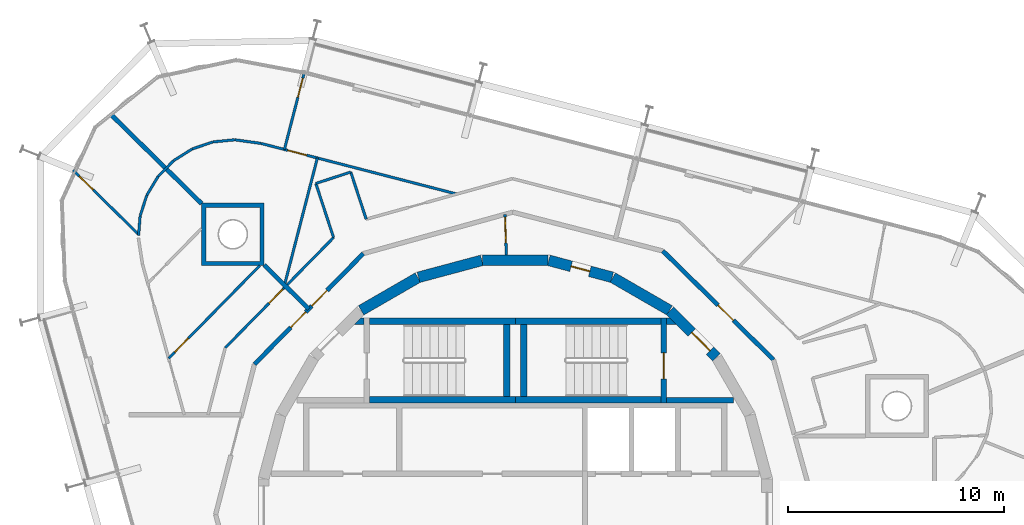
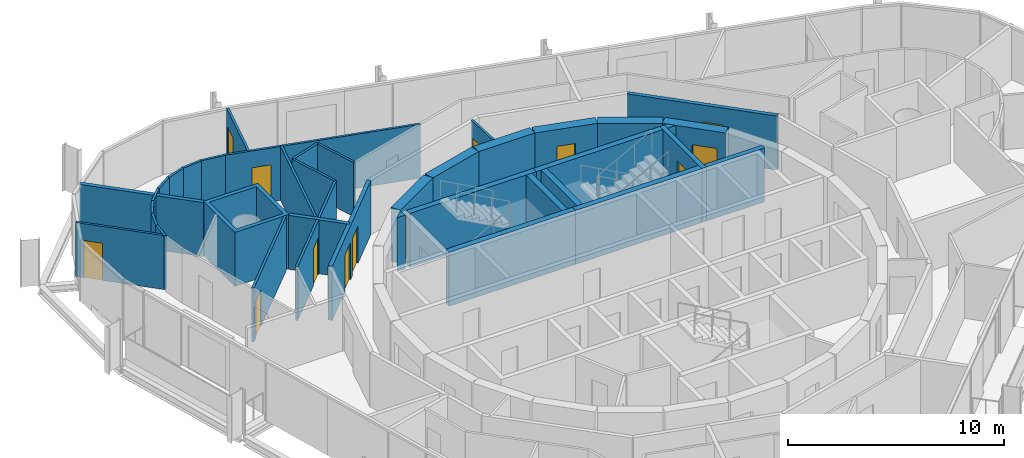
# One storey, part 13 of 15: 39 walls, 12 doors, 12 openings.
"""IFC4 building model written with IfcOpenShell, lengths in metres."""

from ifc_helpers import new_model, si_unit, direction, frame, frame_2d, origin, place, context, subcontext, project, spatial, polyline, rectangle, outline, extrude, material, layer, layer_set, type_object, element, fill, save


model = new_model("IFC4")

# Units and contexts
model_context = context("Model", 3, precision=1e-05, world=origin(), true_north=direction((0.0, 1.0)))
body_context = subcontext(model_context, "Body", "Model", "MODEL_VIEW")
ifc_project = project(units=[si_unit("LENGTHUNIT", "METRE"), si_unit("AREAUNIT", "SQUARE_METRE"), si_unit("VOLUMEUNIT", "CUBIC_METRE"), si_unit("PLANEANGLEUNIT", "RADIAN"), si_unit("MASSUNIT", "GRAM", prefix="KILO")], contexts=[model_context])

# Site, building, storey
site_placement = place(None, origin())
site = spatial("IfcSite", under=ifc_project, at=site_placement, CompositionType="ELEMENT")
building_placement = place(site_placement, origin())
building = spatial("IfcBuilding", under=site, at=building_placement, Name="Spindle Arch Residences", CompositionType="ELEMENT")
storey_placement = place(building_placement, frame((0.0, 0.0, 322.699951171875)))
storey = spatial("IfcBuildingStorey", under=building, at=storey_placement, Name="L83", CompositionType="ELEMENT", Elevation=322.699951171875)

# Wall, opening, door
ifc_material_1 = material(Name="Concrete C50/60", Category="concrete")
ifc_layer_1 = layer(ifc_material_1, 0.5)
ifc_layer_set_1 = layer_set([ifc_layer_1], Name="Core outline wall 500")
wall_type_1 = type_object("IfcWallType", Name="Core outline wall 500", PredefinedType="SHEAR", material=ifc_layer_set_1)
wall_1_placement = place(storey_placement, frame((9.30810546875, 7.163818359375, 0.0), z_axis=(0.0, 0.0, 1.0), x_axis=(-0.707106781187, 0.707106781187, 0.0)))
wall_1 = element("IfcWall", 1, at=wall_1_placement, inside=storey, type_object=wall_type_1, Name="Core outline wall 9", PredefinedType="SHEAR", context=body_context, shape_type="SweptSolid", body=[
    extrude(rectangle(XDim=3.032470703125, YDim=0.5, at=frame_2d((1.51611328125, 0.0))), origin(), (0.0, 0.0, 1.0), 3.050048828125),
])
opening_1_placement = place(wall_1_placement, frame((0.416259765625, 0.0, 0.0)))
opening_1 = element("IfcOpeningElement", 2, at=opening_1_placement, cuts=wall_1, Name="Opening R8C1-AD01", PredefinedType="OPENING", context=body_context, shape_type="SweptSolid", body=[
    extrude(rectangle(XDim=1.199951171875, YDim=2.10009765625, at=frame_2d((0.60009765625, 1.050048828125))), frame((0.0, 0.260009765625, 0.0), z_axis=(0.0, -1.0, 0.0), x_axis=(1.0, 0.0, 0.0)), (0.0, 0.0, 1.0), 0.52001953125),
])
ifc_material_2 = material(Name="Steel, fire-resisting door", Category="steel")
door_type_1 = type_object("IfcDoorType", Name="Stair airlock door 1200x2100", OperationType="SINGLE_SWING_LEFT", PredefinedType="DOOR", material=ifc_material_2)
door_1_placement = place(opening_1_placement, origin())
door_1 = element("IfcDoor", 3, at=door_1_placement, inside=storey, type_object=door_type_1, Name="Stair airlock door R8C1-AD01", OperationType="SINGLE_SWING_RIGHT", OverallHeight=2.10009765625, OverallWidth=1.199951171875, PredefinedType="DOOR", context=body_context, shape_type="SweptSolid", body=[
    extrude(rectangle(XDim=1.199951171875, YDim=2.10009765625, at=frame_2d((0.60009765625, 1.050048828125))), frame((0.0, 0.02490234375, 0.0), z_axis=(0.0, -1.0, 0.0), x_axis=(1.0, 0.0, 0.0)), (0.0, 0.0, 1.0), 0.050048828125),
])
fill(opening_1, door_1)

# Wall
wall_2_placement = place(storey_placement, frame((7.13671875, 9.32861328125, 0.0), z_axis=(0.0, 0.0, 1.0), x_axis=(-0.865975092491, 0.500087131594, 0.0)))
element("IfcWall", 4, at=wall_2_placement, inside=storey, type_object=wall_type_1, Name="Core outline wall 10", PredefinedType="SHEAR", context=body_context, shape_type="SweptSolid", body=[
    extrude(rectangle(XDim=3.03271484375, YDim=0.5, at=frame_2d((1.516357421875, 0.0))), origin(), (0.0, 0.0, 1.0), 3.050048828125),
])

# Wall, opening, door
wall_3_placement = place(storey_placement, frame((4.479248046875, 10.858154296875, 0.0), z_axis=(0.0, 0.0, 1.0), x_axis=(-0.965948410781, 0.258734743916, 0.0)))
wall_3 = element("IfcWall", 5, at=wall_3_placement, inside=storey, type_object=wall_type_1, Name="Core outline wall 11", PredefinedType="SHEAR", context=body_context, shape_type="SweptSolid", body=[
    extrude(rectangle(XDim=3.03271484375, YDim=0.5, at=frame_2d((1.516357421875, 0.0))), origin(), (0.0, 0.0, 1.0), 3.050048828125),
])
opening_2_placement = place(wall_3_placement, frame((1.066162109375, 0.0, 0.0)))
opening_2 = element("IfcOpeningElement", 6, at=opening_2_placement, cuts=wall_3, Name="Opening R8C1-WD11", PredefinedType="OPENING", context=body_context, shape_type="SweptSolid", body=[
    extrude(rectangle(XDim=0.89990234375, YDim=2.10009765625, at=frame_2d((0.449951171875, 1.050048828125))), frame((0.0, 0.260009765625, 0.0), z_axis=(0.0, -1.0, 0.0), x_axis=(1.0, 0.0, 0.0)), (0.0, 0.0, 1.0), 0.52001953125),
])
ifc_material_3 = material(Name="Steel, fire-resisting door", Category="steel")
door_type_2 = type_object("IfcDoorType", Name="Service room door 900x2100", OperationType="SINGLE_SWING_LEFT", PredefinedType="DOOR", material=ifc_material_3)
door_2_placement = place(opening_2_placement, origin())
door_2 = element("IfcDoor", 7, at=door_2_placement, inside=storey, type_object=door_type_2, Name="Service room door R8C1-WD11", OperationType="SINGLE_SWING_LEFT", OverallHeight=2.10009765625, OverallWidth=0.89990234375, PredefinedType="DOOR", context=body_context, shape_type="SweptSolid", body=[
    extrude(rectangle(XDim=0.89990234375, YDim=2.10009765625, at=frame_2d((0.449951171875, 1.050048828125))), frame((0.0, 0.02490234375, 0.0), z_axis=(0.0, -1.0, 0.0), x_axis=(1.0, 0.0, 0.0)), (0.0, 0.0, 1.0), 0.050048828125),
])
fill(opening_2, door_2)

# Walls
for number, where, z_axis, x_axis, name in (
    (8, (1.516357421875, 11.647216796875, 0.0), (0.0, 0.0, 1.0), (-1.0, 0.0, 0.0), "Core outline wall 12"),
    (9, (-1.5498046875, 11.642822265625, 0.0), (0.0, 0.0, 1.0), (-0.965948410781, -0.258734743916, 0.0), "Core outline wall 13"),
    (10, (-4.510498046875, 10.84521484375, 0.0), (0.0, 0.0, 1.0), (-0.865975092491, -0.500087131594, 0.0), "Core outline wall 14"),
):
    element("IfcWall", number, at=place(storey_placement, frame(where, z_axis=z_axis, x_axis=x_axis)), inside=storey, type_object=wall_type_1, Name=name, PredefinedType="SHEAR", context=body_context, shape_type="SweptSolid", body=[
        extrude(rectangle(XDim=3.03271484375, YDim=0.5, at=frame_2d((1.516357421875, 0.0))), origin(), (0.0, 0.0, 1.0), 3.050048828125),
    ])

# Wall, opening, door
ifc_material_4 = material(Name="Plasterboard on steel studs", Category="steel")
ifc_layer_2 = layer(ifc_material_4, 0.1201171875)
ifc_layer_set_2 = layer_set([ifc_layer_2], Name="Corridor division wall 120")
wall_type_2 = type_object("IfcWallType", Name="Corridor division wall 120", PredefinedType="PARTITIONING", material=ifc_layer_set_2)
wall_4_placement = place(storey_placement, frame((-0.48095703125, 13.7724609375, 0.0), z_axis=(0.0, 0.0, 1.0), x_axis=(0.034870071203, -0.999391854146, 0.0)))
wall_4 = element("IfcWall", 11, at=wall_4_placement, inside=storey, type_object=wall_type_2, Name="Corridor division wall R8C1-W001", PredefinedType="PARTITIONING", context=body_context, shape_type="SweptSolid", body=[
    extrude(rectangle(XDim=1.87646484375, YDim=0.1201171875, at=frame_2d((0.938232421875, 0.0))), origin(), (0.0, 0.0, 1.0), 3.050048828125),
])
opening_3_placement = place(wall_4_placement, frame((0.125, 0.0, 0.0)))
opening_3 = element("IfcOpeningElement", 12, at=opening_3_placement, cuts=wall_4, Name="Opening R8C1-CD01", PredefinedType="OPENING", context=body_context, shape_type="SweptSolid", body=[
    extrude(rectangle(XDim=1.199951171875, YDim=2.10009765625, at=frame_2d((0.60009765625, 1.050048828125))), frame((0.0, 0.070068359375, 0.0), z_axis=(0.0, -1.0, 0.0), x_axis=(1.0, 0.0, 0.0)), (0.0, 0.0, 1.0), 0.14013671875),
])
ifc_material_5 = material(Name="Steel, fire-resisting door", Category="steel")
door_type_3 = type_object("IfcDoorType", Name="Corridor division door 1200x2100", OperationType="NOTDEFINED", PredefinedType="DOOR", material=ifc_material_5)
door_3_placement = place(opening_3_placement, origin())
door_3 = element("IfcDoor", 13, at=door_3_placement, inside=storey, type_object=door_type_3, Name="Corridor division door R8C1-CD01", OperationType="DOUBLE_DOOR_SINGLE_SWING", OverallHeight=2.10009765625, OverallWidth=1.199951171875, PredefinedType="DOOR", context=body_context, shape_type="SweptSolid", body=[
    extrude(rectangle(XDim=1.199951171875, YDim=2.10009765625, at=frame_2d((0.60009765625, 1.050048828125))), frame((0.0, 0.02490234375, 0.0), z_axis=(0.0, -1.0, 0.0), x_axis=(1.0, 0.0, 0.0)), (0.0, 0.0, 1.0), 0.050048828125),
])
fill(opening_3, door_3)

ifc_material_6 = material(Name="Calcium silicate block, plastered")
ifc_layer_3 = layer(ifc_material_6, 0.199951171875)
ifc_layer_set_3 = layer_set([ifc_layer_3], Name="Corridor wall 200")
wall_type_3 = type_object("IfcWallType", Name="Corridor wall 200", PredefinedType="STANDARD", material=ifc_layer_set_3)
wall_5_placement = place(storey_placement, frame((11.953125, 7.041015625, 0.0), z_axis=(0.0, 0.0, 1.0), x_axis=(-0.713250549143, 0.70090916255, 0.0)))
wall_5 = element("IfcWall", 14, at=wall_5_placement, inside=storey, type_object=wall_type_3, Name="Corridor wall R8C1-W007", PredefinedType="STANDARD", context=body_context, shape_type="SweptSolid", body=[
    extrude(rectangle(XDim=7.180908203125, YDim=0.199951171875, at=frame_2d((3.59033203125, 0.0))), origin(), (0.0, 0.0, 1.0), 3.050048828125),
])
opening_4_placement = place(wall_5_placement, frame((2.60009765625, 0.0, 0.0)))
opening_4 = element("IfcOpeningElement", 15, at=opening_4_placement, cuts=wall_5, Name="Opening R8C1-FD01", PredefinedType="OPENING", context=body_context, shape_type="SweptSolid", body=[
    extrude(rectangle(XDim=1.0, YDim=2.10009765625, at=frame_2d((0.5, 1.050048828125))), frame((0.0, 0.10986328125, 0.0), z_axis=(0.0, -1.0, 0.0), x_axis=(1.0, 0.0, 0.0)), (0.0, 0.0, 1.0), 0.219970703125),
])
ifc_material_7 = material(Name="Timber, fire-resisting door set", Category="wood")
door_type_4 = type_object("IfcDoorType", Name="Flat entrance door 1000x2100", OperationType="NOTDEFINED", PredefinedType="DOOR", material=ifc_material_7)
door_4_placement = place(opening_4_placement, origin())
door_4 = element("IfcDoor", 16, at=door_4_placement, inside=storey, type_object=door_type_4, Name="Flat entrance door R8C1-FD01", OperationType="SINGLE_SWING_LEFT", OverallHeight=2.10009765625, OverallWidth=1.0, PredefinedType="DOOR", context=body_context, shape_type="SweptSolid", body=[
    extrude(rectangle(XDim=1.0, YDim=2.10009765625, at=frame_2d((0.5, 1.050048828125))), frame((0.0, 0.02490234375, 0.0), z_axis=(0.0, -1.0, 0.0), x_axis=(1.0, 0.0, 0.0)), (0.0, 0.0, 1.0), 0.050048828125),
])
fill(opening_4, door_4)

# Wall, openings, doors
wall_6_placement = place(storey_placement, frame((-7.041015625, 11.953125, 0.0), z_axis=(0.0, 0.0, 1.0), x_axis=(-0.70090916255, -0.713250549143, 0.0)))
wall_6 = element("IfcWall", 17, at=wall_6_placement, inside=storey, type_object=wall_type_3, Name="Corridor wall R8C1-W012", PredefinedType="STANDARD", context=body_context, shape_type="SweptSolid", body=[
    extrude(rectangle(XDim=7.180908203125, YDim=0.199951171875, at=frame_2d((3.59033203125, 0.0))), origin(), (0.0, 0.0, 1.0), 3.050048828125),
])
opening_5_placement = place(wall_6_placement, frame((2.390380859375, 0.0, 0.0)))
opening_5 = element("IfcOpeningElement", 18, at=opening_5_placement, cuts=wall_6, Name="Opening R8C1-FD02", PredefinedType="OPENING", context=body_context, shape_type="SweptSolid", body=[
    extrude(rectangle(XDim=1.0, YDim=2.10009765625, at=frame_2d((0.5, 1.050048828125))), frame((0.0, 0.10986328125, 0.0), z_axis=(0.0, -1.0, 0.0), x_axis=(1.0, 0.0, 0.0)), (0.0, 0.0, 1.0), 0.219970703125),
])
opening_6_placement = place(wall_6_placement, frame((3.79052734375, 0.0, 0.0)))
opening_6 = element("IfcOpeningElement", 19, at=opening_6_placement, cuts=wall_6, Name="Opening R8C1-FD03", PredefinedType="OPENING", context=body_context, shape_type="SweptSolid", body=[
    extrude(rectangle(XDim=1.0, YDim=2.10009765625, at=frame_2d((0.5, 1.050048828125))), frame((0.0, 0.10986328125, 0.0), z_axis=(0.0, -1.0, 0.0), x_axis=(1.0, 0.0, 0.0)), (0.0, 0.0, 1.0), 0.219970703125),
])
door_5_placement = place(opening_5_placement, origin())
door_5 = element("IfcDoor", 20, at=door_5_placement, inside=storey, type_object=door_type_4, Name="Flat entrance door R8C1-FD02", OperationType="SINGLE_SWING_RIGHT", OverallHeight=2.10009765625, OverallWidth=1.0, PredefinedType="DOOR", context=body_context, shape_type="SweptSolid", body=[
    extrude(rectangle(XDim=1.0, YDim=2.10009765625, at=frame_2d((0.5, 1.050048828125))), frame((0.0, 0.02490234375, 0.0), z_axis=(0.0, -1.0, 0.0), x_axis=(1.0, 0.0, 0.0)), (0.0, 0.0, 1.0), 0.050048828125),
])
fill(opening_5, door_5)
door_6_placement = place(opening_6_placement, origin())
door_6 = element("IfcDoor", 21, at=door_6_placement, inside=storey, type_object=door_type_4, Name="Flat entrance door R8C1-FD03", OperationType="SINGLE_SWING_LEFT", OverallHeight=2.10009765625, OverallWidth=1.0, PredefinedType="DOOR", context=body_context, shape_type="SweptSolid", body=[
    extrude(rectangle(XDim=1.0, YDim=2.10009765625, at=frame_2d((0.5, 1.050048828125))), frame((0.0, 0.02490234375, 0.0), z_axis=(0.0, -1.0, 0.0), x_axis=(1.0, 0.0, 0.0)), (0.0, 0.0, 1.0), 0.050048828125),
])
fill(opening_6, door_6)

# Walls
ifc_material_8 = material(Name="Plasterboard on steel studs", Category="steel")
ifc_layer_4 = layer(ifc_material_8, 0.1201171875)
ifc_layer_set_4 = layer_set([ifc_layer_4], Name="Flat partition 120")
wall_type_4 = type_object("IfcWallType", Name="Flat partition 120", PredefinedType="PARTITIONING", material=ifc_layer_set_4)
wall_7_placement = place(storey_placement, frame((-6.902099609375, 13.548095703125, 0.0), z_axis=(0.0, 0.0, 1.0), x_axis=(-0.311311440769, 0.950307943167, 0.0)))
element("IfcWall", 22, at=wall_7_placement, inside=storey, type_object=wall_type_4, Name="Flat partition R8C1-W046", PredefinedType="PARTITIONING", context=body_context, shape_type="SweptSolid", body=[
    extrude(rectangle(XDim=2.296142578125, YDim=0.1201171875, at=frame_2d((1.14794921875, 0.0))), origin(), (0.0, 0.0, 1.0), 3.050048828125),
])
wall_8_placement = place(storey_placement, frame((-7.616943359375, 15.730224609375, 0.0), z_axis=(0.0, 0.0, 1.0), x_axis=(-0.950307562936, -0.311312601457, 0.0)))
element("IfcWall", 23, at=wall_8_placement, inside=storey, type_object=wall_type_4, Name="Flat partition R8C1-W047", PredefinedType="PARTITIONING", context=body_context, shape_type="SweptSolid", body=[
    extrude(rectangle(XDim=1.7001953125, YDim=0.1201171875, at=frame_2d((0.85009765625, 0.0))), origin(), (0.0, 0.0, 1.0), 3.050048828125),
])
wall_9_placement = place(storey_placement, frame((-9.232666015625, 15.200927734375, 0.0), z_axis=(0.0, 0.0, 1.0), x_axis=(0.311302357688, -0.950310918646, 0.0)))
element("IfcWall", 24, at=wall_9_placement, inside=storey, type_object=wall_type_4, Name="Flat partition R8C1-W048", PredefinedType="PARTITIONING", context=body_context, shape_type="SweptSolid", body=[
    extrude(rectangle(XDim=2.63427734375, YDim=0.1201171875, at=frame_2d((1.317138671875, 0.0))), origin(), (0.0, 0.0, 1.0), 3.050048828125),
])

# Wall, opening, door
wall_10_placement = place(storey_placement, frame((-8.41259765625, 12.697509765625, 0.0), z_axis=(0.0, 0.0, 1.0), x_axis=(-0.700901588882, -0.713257991686, 0.0)))
wall_10 = element("IfcWall", 25, at=wall_10_placement, inside=storey, type_object=wall_type_4, Name="Flat partition R8C1-W049", PredefinedType="PARTITIONING", context=body_context, shape_type="SweptSolid", body=[
    extrude(rectangle(XDim=7.152587890625, YDim=0.1201171875, at=frame_2d((3.576171875, 0.0))), origin(), (0.0, 0.0, 1.0), 3.050048828125),
])
opening_7_placement = place(wall_10_placement, frame((3.360107421875, 0.0, 0.0)))
opening_7 = element("IfcOpeningElement", 26, at=opening_7_placement, cuts=wall_10, Name="Opening R8C1-ID08", PredefinedType="OPENING", context=body_context, shape_type="SweptSolid", body=[
    extrude(rectangle(XDim=0.89990234375, YDim=2.10009765625, at=frame_2d((0.449951171875, 1.050048828125))), frame((0.0, 0.070068359375, 0.0), z_axis=(0.0, -1.0, 0.0), x_axis=(1.0, 0.0, 0.0)), (0.0, 0.0, 1.0), 0.14013671875),
])
ifc_material_9 = material(Name="Timber door set", Category="wood")
door_type_5 = type_object("IfcDoorType", Name="Room door 900x2100", OperationType="NOTDEFINED", PredefinedType="DOOR", material=ifc_material_9)
door_7_placement = place(opening_7_placement, origin())
door_7 = element("IfcDoor", 27, at=door_7_placement, inside=storey, type_object=door_type_5, Name="Room door R8C1-ID08", OperationType="SINGLE_SWING_LEFT", OverallHeight=2.10009765625, OverallWidth=0.89990234375, PredefinedType="DOOR", context=body_context, shape_type="SweptSolid", body=[
    extrude(rectangle(XDim=0.89990234375, YDim=2.10009765625, at=frame_2d((0.449951171875, 1.050048828125))), frame((0.0, 0.02490234375, 0.0), z_axis=(0.0, -1.0, 0.0), x_axis=(1.0, 0.0, 0.0)), (0.0, 0.0, 1.0), 0.050048828125),
])
fill(opening_7, door_7)

wall_11_placement = place(storey_placement, frame((-11.768798828125, 17.054443359375, 0.0), z_axis=(0.0, 0.0, 1.0), x_axis=(0.968146475492, -0.250384508293, 0.0)))
wall_11 = element("IfcWall", 28, at=wall_11_placement, inside=storey, type_object=wall_type_4, Name="Flat partition R8C1-W050", PredefinedType="PARTITIONING", context=body_context, shape_type="SweptSolid", body=[
    extrude(rectangle(XDim=9.358642578125, YDim=0.1201171875, at=frame_2d((4.67919921875, 0.0))), origin(), (0.0, 0.0, 1.0), 3.050048828125),
])
opening_8_placement = place(wall_11_placement, frame((1.2763671875, 0.0, 0.0)))
opening_8 = element("IfcOpeningElement", 29, at=opening_8_placement, cuts=wall_11, Name="Opening R8C1-ID07", PredefinedType="OPENING", context=body_context, shape_type="SweptSolid", body=[
    extrude(rectangle(XDim=0.89990234375, YDim=2.10009765625, at=frame_2d((0.449951171875, 1.050048828125))), frame((0.0, 0.070068359375, 0.0), z_axis=(0.0, -1.0, 0.0), x_axis=(1.0, 0.0, 0.0)), (0.0, 0.0, 1.0), 0.14013671875),
])
door_8_placement = place(opening_8_placement, origin())
door_8 = element("IfcDoor", 30, at=door_8_placement, inside=storey, type_object=door_type_5, Name="Room door R8C1-ID07", OperationType="SINGLE_SWING_LEFT", OverallHeight=2.10009765625, OverallWidth=0.89990234375, PredefinedType="DOOR", context=body_context, shape_type="SweptSolid", body=[
    extrude(rectangle(XDim=0.89990234375, YDim=2.10009765625, at=frame_2d((0.449951171875, 1.050048828125))), frame((0.0, 0.02490234375, 0.0), z_axis=(0.0, -1.0, 0.0), x_axis=(1.0, 0.0, 0.0)), (0.0, 0.0, 1.0), 0.050048828125),
])
fill(opening_8, door_8)

wall_12_placement = place(storey_placement, frame((-9.78662109375, 20.26025390625, 0.0), z_axis=(0.0, 0.0, 1.0), x_axis=(-0.250378438176, -0.968148045341, 0.0)))
wall_12 = element("IfcWall", 31, at=wall_12_placement, inside=storey, type_object=wall_type_4, Name="Flat partition R8C1-W051", PredefinedType="PARTITIONING", context=body_context, shape_type="SweptSolid", body=[
    extrude(rectangle(XDim=3.60009765625, YDim=0.1201171875, at=frame_2d((1.800048828125, 0.0))), origin(), (0.0, 0.0, 1.0), 3.050048828125),
])
opening_9_placement = place(wall_12_placement, frame((0.199951171875, 0.0, 0.0)))
opening_9 = element("IfcOpeningElement", 32, at=opening_9_placement, cuts=wall_12, Name="Opening R8C1-ID06", PredefinedType="OPENING", context=body_context, shape_type="SweptSolid", body=[
    extrude(rectangle(XDim=0.89990234375, YDim=2.10009765625, at=frame_2d((0.449951171875, 1.050048828125))), frame((0.0, 0.070068359375, 0.0), z_axis=(0.0, -1.0, 0.0), x_axis=(1.0, 0.0, 0.0)), (0.0, 0.0, 1.0), 0.14013671875),
])
door_9_placement = place(opening_9_placement, origin())
door_9 = element("IfcDoor", 33, at=door_9_placement, inside=storey, type_object=door_type_5, Name="Room door R8C1-ID06", OperationType="SINGLE_SWING_RIGHT", OverallHeight=2.10009765625, OverallWidth=0.89990234375, PredefinedType="DOOR", context=body_context, shape_type="SweptSolid", body=[
    extrude(rectangle(XDim=0.89990234375, YDim=2.10009765625, at=frame_2d((0.449951171875, 1.050048828125))), frame((0.0, 0.02490234375, 0.0), z_axis=(0.0, -1.0, 0.0), x_axis=(1.0, 0.0, 0.0)), (0.0, 0.0, 1.0), 0.050048828125),
])
fill(opening_9, door_9)

# Walls
wall_13_placement = place(storey_placement, frame((-9.161865234375, 16.38037109375, 0.0), z_axis=(0.0, 0.0, 1.0), x_axis=(-0.250384770134, -0.968146407774, 0.0)))
element("IfcWall", 34, at=wall_13_placement, inside=storey, type_object=wall_type_4, Name="Flat partition R8C1-W052", PredefinedType="PARTITIONING", context=body_context, shape_type="SweptSolid", body=[
    extrude(rectangle(XDim=6.07568359375, YDim=0.1201171875, at=frame_2d((3.037841796875, 0.0))), origin(), (0.0, 0.0, 1.0), 3.050048828125),
])
for number, where, z_axis, x_axis, name in (
    (35, (-16.529052734375, 15.531005859375, 0.0), (0.0, 0.0, 1.0), (0.7009526022, 0.71320785853, 0.0), "Flat partition R8C1-W053"),
    (36, (-15.81689453125, 16.255615234375, 0.0), (0.0, 0.0, 1.0), (0.846509670316, 0.53237334462, 0.0), "Flat partition R8C1-W054"),
    (37, (-14.95703125, 16.79638671875, 0.0), (0.0, 0.0, 1.0), (0.946473479872, 0.322781585441, 0.0), "Flat partition R8C1-W055"),
    (38, (-13.99560546875, 17.124267578125, 0.0), (0.0, 0.0, 1.0), (0.995392282416, 0.095886412526, 0.0), "Flat partition R8C1-W056"),
):
    element("IfcWall", number, at=place(storey_placement, frame(where, z_axis=z_axis, x_axis=x_axis)), inside=storey, type_object=wall_type_4, Name=name, PredefinedType="PARTITIONING", context=body_context, shape_type="SweptSolid", body=[
        extrude(rectangle(XDim=1.015869140625, YDim=0.1201171875, at=frame_2d((0.5078125, 0.0))), origin(), (0.0, 0.0, 1.0), 3.050048828125),
    ])
wall_14_placement = place(storey_placement, frame((-12.984375, 17.2216796875, 0.0), z_axis=(0.0, 0.0, 1.0), x_axis=(0.990668432332, -0.136294010072, 0.0)))
element("IfcWall", 39, at=wall_14_placement, inside=storey, type_object=wall_type_4, Name="Flat partition R8C1-W057", PredefinedType="PARTITIONING", context=body_context, shape_type="SweptSolid", body=[
    extrude(rectangle(XDim=1.22705078125, YDim=0.1201171875, at=frame_2d((0.613525390625, 0.0))), origin(), (0.0, 0.0, 1.0), 3.050048828125),
])
wall_15_placement = place(storey_placement, frame((-17.4365234375, 12.79833984375, 0.0), z_axis=(0.0, 0.0, 1.0), x_axis=(0.078482315782, 0.996915506003, 0.0)))
element("IfcWall", 40, at=wall_15_placement, inside=storey, type_object=wall_type_4, Name="Flat partition R8C1-W059", PredefinedType="PARTITIONING", context=body_context, shape_type="SweptSolid", body=[
    extrude(rectangle(XDim=0.89892578125, YDim=0.1201171875, at=frame_2d((0.449462890625, 0.0))), origin(), (0.0, 0.0, 1.0), 3.050048828125),
])
for number, where, z_axis, x_axis, name in (
    (41, (-17.365966796875, 13.694580078125, 0.0), (0.0, 0.0, 1.0), (0.306405887477, 0.951900957096, 0.0), "Flat partition R8C1-W060"),
    (42, (-17.0546875, 14.66162109375, 0.0), (0.0, 0.0, 1.0), (0.517390691583, 0.855749304565, 0.0), "Flat partition R8C1-W061"),
):
    element("IfcWall", number, at=place(storey_placement, frame(where, z_axis=z_axis, x_axis=x_axis)), inside=storey, type_object=wall_type_4, Name=name, PredefinedType="PARTITIONING", context=body_context, shape_type="SweptSolid", body=[
        extrude(rectangle(XDim=1.015869140625, YDim=0.1201171875, at=frame_2d((0.5078125, 0.0))), origin(), (0.0, 0.0, 1.0), 3.050048828125),
    ])

# Wall, opening, door
wall_16_placement = place(storey_placement, frame((-20.46484375, 15.817138671875, 0.0), z_axis=(0.0, 0.0, 1.0), x_axis=(0.713254811643, -0.700904824971, 0.0)))
wall_16 = element("IfcWall", 43, at=wall_16_placement, inside=storey, type_object=wall_type_4, Name="Flat partition R8C1-W062", PredefinedType="PARTITIONING", context=body_context, shape_type="SweptSolid", body=[
    extrude(rectangle(XDim=4.250244140625, YDim=0.1201171875, at=frame_2d((2.125, 0.0))), origin(), (0.0, 0.0, 1.0), 3.050048828125),
])
opening_10_placement = place(wall_16_placement, frame((0.39990234375, 0.0, 0.0)))
opening_10 = element("IfcOpeningElement", 44, at=opening_10_placement, cuts=wall_16, Name="Opening R8C1-ID11", PredefinedType="OPENING", context=body_context, shape_type="SweptSolid", body=[
    extrude(rectangle(XDim=0.89990234375, YDim=2.10009765625, at=frame_2d((0.449951171875, 1.050048828125))), frame((0.0, 0.070068359375, 0.0), z_axis=(0.0, -1.0, 0.0), x_axis=(1.0, 0.0, 0.0)), (0.0, 0.0, 1.0), 0.14013671875),
])
door_10_placement = place(opening_10_placement, origin())
door_10 = element("IfcDoor", 45, at=door_10_placement, inside=storey, type_object=door_type_5, Name="Room door R8C1-ID11", OperationType="SINGLE_SWING_LEFT", OverallHeight=2.10009765625, OverallWidth=0.89990234375, PredefinedType="DOOR", context=body_context, shape_type="SweptSolid", body=[
    extrude(rectangle(XDim=0.89990234375, YDim=2.10009765625, at=frame_2d((0.449951171875, 1.050048828125))), frame((0.0, 0.02490234375, 0.0), z_axis=(0.0, -1.0, 0.0), x_axis=(1.0, 0.0, 0.0)), (0.0, 0.0, 1.0), 0.050048828125),
])
fill(opening_10, door_10)

wall_17_placement = place(storey_placement, frame((-16.047119140625, 7.105224609375, 0.0), z_axis=(0.0, 0.0, 1.0), x_axis=(0.700892382646, 0.713267038316, 0.0)))
wall_17 = element("IfcWall", 46, at=wall_17_placement, inside=storey, type_object=wall_type_4, Name="Flat partition R8C1-W066", PredefinedType="PARTITIONING", context=body_context, shape_type="SweptSolid", body=[
    extrude(rectangle(XDim=6.017333984375, YDim=0.1201171875, at=frame_2d((3.0087890625, 0.0))), origin(), (0.0, 0.0, 1.0), 3.050048828125),
])
opening_11_placement = place(wall_17_placement, frame((0.39990234375, 0.0, 0.0)))
opening_11 = element("IfcOpeningElement", 47, at=opening_11_placement, cuts=wall_17, Name="Opening R8C1-ID09", PredefinedType="OPENING", context=body_context, shape_type="SweptSolid", body=[
    extrude(rectangle(XDim=0.89990234375, YDim=2.10009765625, at=frame_2d((0.449951171875, 1.050048828125))), frame((0.0, 0.070068359375, 0.0), z_axis=(0.0, -1.0, 0.0), x_axis=(1.0, 0.0, 0.0)), (0.0, 0.0, 1.0), 0.14013671875),
])
door_11_placement = place(opening_11_placement, origin())
door_11 = element("IfcDoor", 48, at=door_11_placement, inside=storey, type_object=door_type_5, Name="Room door R8C1-ID09", OperationType="SINGLE_SWING_LEFT", OverallHeight=2.10009765625, OverallWidth=0.89990234375, PredefinedType="DOOR", context=body_context, shape_type="SweptSolid", body=[
    extrude(rectangle(XDim=0.89990234375, YDim=2.10009765625, at=frame_2d((0.449951171875, 1.050048828125))), frame((0.0, 0.02490234375, 0.0), z_axis=(0.0, -1.0, 0.0), x_axis=(1.0, 0.0, 0.0)), (0.0, 0.0, 1.0), 0.050048828125),
])
fill(opening_11, door_11)

# Walls
ifc_material_10 = material(Name="Calcium silicate block, plastered")
ifc_layer_5 = layer(ifc_material_10, 0.199951171875)
ifc_layer_set_5 = layer_set([ifc_layer_5], Name="Flat party wall 200")
wall_type_5 = type_object("IfcWallType", Name="Flat party wall 200", PredefinedType="STANDARD", material=ifc_layer_set_5)
wall_18_placement = place(storey_placement, frame((-11.623291015625, 11.422119140625, 0.0), z_axis=(0.0, 0.0, 1.0), x_axis=(0.713233657229, -0.700926351478, 0.0)))
element("IfcWall", 49, at=wall_18_placement, inside=storey, type_object=wall_type_5, Name="Flat party wall R8C1-W024", PredefinedType="STANDARD", context=body_context, shape_type="SweptSolid", body=[
    extrude(rectangle(XDim=2.896240234375, YDim=0.199951171875, at=frame_2d((1.4482421875, 0.0))), origin(), (0.0, 0.0, 1.0), 3.050048828125),
])
wall_19_placement = place(storey_placement, frame((-18.74072265625, 18.41650390625, 0.0), z_axis=(0.0, 0.0, 1.0), x_axis=(0.713252414586, -0.700907264256, 0.0)))
element("IfcWall", 50, at=wall_19_placement, inside=storey, type_object=wall_type_5, Name="Flat party wall R8C1-W025", PredefinedType="STANDARD", context=body_context, shape_type="SweptSolid", body=[
    extrude(rectangle(XDim=5.9130859375, YDim=0.199951171875, at=frame_2d((2.95654296875, 0.0))), origin(), (0.0, 0.0, 1.0), 3.050048828125),
])
ifc_material_11 = material(Name="Calcium silicate block, plastered")
ifc_layer_6 = layer(ifc_material_11, 0.199951171875)
ifc_layer_set_6 = layer_set([ifc_layer_6], Name="Mega-column casing wall 200")
wall_type_6 = type_object("IfcWallType", Name="Mega-column casing wall 200", PredefinedType="STANDARD", material=ifc_layer_set_6)
wall_20_placement = place(storey_placement, origin())
element("IfcWall", 51, at=wall_20_placement, inside=storey, type_object=wall_type_6, Name="Mega-column casing wall R8C1-WC02", PredefinedType="STANDARD", context=body_context, shape_type="SweptSolid", body=[
    extrude(outline(polyline([(-11.623291015625, 14.297119140625), (-11.623291015625, 11.397216796875), (-14.523193359375, 11.397216796875), (-14.523193359375, 14.297119140625), (-11.623291015625, 14.297119140625)]), holes=[polyline([(-14.3232421875, 11.59716796875), (-11.8232421875, 11.59716796875), (-11.8232421875, 14.09716796875), (-14.3232421875, 14.09716796875), (-14.3232421875, 11.59716796875)])]), origin(), (0.0, 0.0, 1.0), 3.050048828125),
])
ifc_material_12 = material(Name="Concrete C40/50", Category="concrete")
ifc_layer_7 = layer(ifc_material_12, 0.25)
ifc_layer_set_7 = layer_set([ifc_layer_7], Name="Stair airlock wall 250")
wall_type_7 = type_object("IfcWallType", Name="Stair airlock wall 250", PredefinedType="SHEAR", material=ifc_layer_set_7)
wall_21_placement = place(storey_placement, frame((7.0, 5.175048828125, 0.0), z_axis=(0.0, 0.0, 1.0), x_axis=(1.0, 0.0, 0.0)))
element("IfcWall", 52, at=wall_21_placement, inside=storey, type_object=wall_type_7, Name="Stair ST-1 airlock wall S", PredefinedType="SHEAR", context=body_context, shape_type="SweptSolid", body=[
    extrude(rectangle(XDim=3.10009765625, YDim=0.25, at=frame_2d((1.550048828125, 0.0))), origin(), (0.0, 0.0, 1.0), 3.050048828125),
])
ifc_material_13 = material(Name="Concrete C40/50", Category="concrete")
wall_type_8 = type_object("IfcWallType", Name="Stair airlock wall profile", PredefinedType="SHEAR", material=ifc_material_13)
wall_22_placement = place(storey_placement, origin())
element("IfcWall", 53, at=wall_22_placement, inside=storey, type_object=wall_type_8, Name="Stair ST-1 airlock wall N", PredefinedType="SHEAR", context=body_context, shape_type="SweptSolid", body=[
    extrude(outline(polyline([(7.4482421875, 8.669921875), (7.0, 8.669921875), (7.0, 8.969970703125), (7.148193359375, 8.969970703125), (7.4482421875, 8.669921875)])), origin(), (0.0, 0.0, 1.0), 3.050048828125),
])
wall_23_placement = place(storey_placement, origin())
element("IfcWall", 54, at=wall_23_placement, inside=storey, type_object=wall_type_8, Name="Stair ST-2 airlock wall N", PredefinedType="SHEAR", context=body_context, shape_type="SweptSolid", body=[
    extrude(outline(polyline([(-7.148193359375, 8.969970703125), (-7.0, 8.969970703125), (-7.0, 8.669921875), (-7.4482421875, 8.669921875), (-7.148193359375, 8.969970703125)])), origin(), (0.0, 0.0, 1.0), 3.050048828125),
])

# Wall, opening, door
ifc_material_14 = material(Name="Concrete C50/60", Category="concrete")
ifc_layer_8 = layer(ifc_material_14, 0.25)
ifc_layer_set_8 = layer_set([ifc_layer_8], Name="Stair enclosure wall 250")
wall_type_9 = type_object("IfcWallType", Name="Stair enclosure wall 250", PredefinedType="SHEAR", material=ifc_layer_set_8)
wall_24_placement = place(storey_placement, frame((6.875, 5.050048828125, 0.0), z_axis=(0.0, 0.0, 1.0), x_axis=(0.0, 1.0, 0.0)))
wall_24 = element("IfcWall", 55, at=wall_24_placement, inside=storey, type_object=wall_type_9, Name="Stair ST-1 door wall", PredefinedType="SHEAR", context=body_context, shape_type="SweptSolid", body=[
    extrude(rectangle(XDim=3.919921875, YDim=0.25, at=frame_2d((1.9599609375, 0.0))), origin(), (0.0, 0.0, 1.0), 3.050048828125),
])
opening_12_placement = place(wall_24_placement, frame((1.110107421875, 0.0, 0.0)))
opening_12 = element("IfcOpeningElement", 56, at=opening_12_placement, cuts=wall_24, Name="Opening R8C1-SD01", PredefinedType="OPENING", context=body_context, shape_type="SweptSolid", body=[
    extrude(rectangle(XDim=1.199951171875, YDim=2.10009765625, at=frame_2d((0.60009765625, 1.050048828125))), frame((0.0, 0.135009765625, 0.0), z_axis=(0.0, -1.0, 0.0), x_axis=(1.0, 0.0, 0.0)), (0.0, 0.0, 1.0), 0.27001953125),
])
ifc_material_15 = material(Name="Steel, fire-resisting door", Category="steel")
door_type_6 = type_object("IfcDoorType", Name="Stair door 1200x2100", OperationType="SINGLE_SWING_RIGHT", PredefinedType="DOOR", material=ifc_material_15)
door_12_placement = place(opening_12_placement, origin())
door_12 = element("IfcDoor", 57, at=door_12_placement, inside=storey, type_object=door_type_6, Name="Stair door R8C1-SD01", OperationType="SINGLE_SWING_LEFT", OverallHeight=2.10009765625, OverallWidth=1.199951171875, PredefinedType="DOOR", context=body_context, shape_type="SweptSolid", body=[
    extrude(rectangle(XDim=1.199951171875, YDim=2.10009765625, at=frame_2d((0.60009765625, 1.050048828125))), frame((0.0, 0.02490234375, 0.0), z_axis=(0.0, -1.0, 0.0), x_axis=(1.0, 0.0, 0.0)), (0.0, 0.0, 1.0), 0.050048828125),
])
fill(opening_12, door_12)

# Walls
ifc_material_16 = material(Name="Concrete C50/60", Category="concrete")
ifc_layer_9 = layer(ifc_material_16, 0.300048828125)
ifc_layer_set_9 = layer_set([ifc_layer_9], Name="Stair enclosure wall 300")
wall_type_10 = type_object("IfcWallType", Name="Stair enclosure wall 300", PredefinedType="SHEAR", material=ifc_layer_set_9)
for number, where, z_axis, x_axis, name in (
    (58, (0.0, 5.199951171875, 0.0), (0.0, 0.0, 1.0), (1.0, 0.0, 0.0), "Stair ST-1 enclosure wall S"),
    (59, (0.0, 8.820068359375, 0.0), (0.0, 0.0, 1.0), (1.0, 0.0, 0.0), "Stair ST-1 enclosure wall N"),
):
    element("IfcWall", number, at=place(storey_placement, frame(where, z_axis=z_axis, x_axis=x_axis)), inside=storey, type_object=wall_type_10, Name=name, PredefinedType="SHEAR", context=body_context, shape_type="SweptSolid", body=[
        extrude(rectangle(XDim=6.75, YDim=0.300048828125, at=frame_2d((3.375, 0.0))), origin(), (0.0, 0.0, 1.0), 3.050048828125),
    ])
wall_25_placement = place(storey_placement, frame((0.39990234375, 5.35009765625, 0.0), z_axis=(0.0, 0.0, 1.0), x_axis=(0.0, 1.0, 0.0)))
element("IfcWall", 60, at=wall_25_placement, inside=storey, type_object=wall_type_10, Name="Stair ST-1 enclosure wall F", PredefinedType="SHEAR", context=body_context, shape_type="SweptSolid", body=[
    extrude(rectangle(XDim=3.31982421875, YDim=0.300048828125, at=frame_2d((1.659912109375, 0.0))), origin(), (0.0, 0.0, 1.0), 3.050048828125),
])
for number, where, z_axis, x_axis, name in (
    (61, (-6.75, 5.199951171875, 0.0), (0.0, 0.0, 1.0), (1.0, 0.0, 0.0), "Stair ST-2 enclosure wall S"),
    (62, (-6.75, 8.820068359375, 0.0), (0.0, 0.0, 1.0), (1.0, 0.0, 0.0), "Stair ST-2 enclosure wall N"),
):
    element("IfcWall", number, at=place(storey_placement, frame(where, z_axis=z_axis, x_axis=x_axis)), inside=storey, type_object=wall_type_10, Name=name, PredefinedType="SHEAR", context=body_context, shape_type="SweptSolid", body=[
        extrude(rectangle(XDim=6.75, YDim=0.300048828125, at=frame_2d((3.375, 0.0))), origin(), (0.0, 0.0, 1.0), 3.050048828125),
    ])
wall_26_placement = place(storey_placement, frame((-0.39990234375, 5.35009765625, 0.0), z_axis=(0.0, 0.0, 1.0), x_axis=(0.0, 1.0, 0.0)))
element("IfcWall", 63, at=wall_26_placement, inside=storey, type_object=wall_type_10, Name="Stair ST-2 enclosure wall F", PredefinedType="SHEAR", context=body_context, shape_type="SweptSolid", body=[
    extrude(rectangle(XDim=3.31982421875, YDim=0.300048828125, at=frame_2d((1.659912109375, 0.0))), origin(), (0.0, 0.0, 1.0), 3.050048828125),
])

save(model, "model.ifc")
